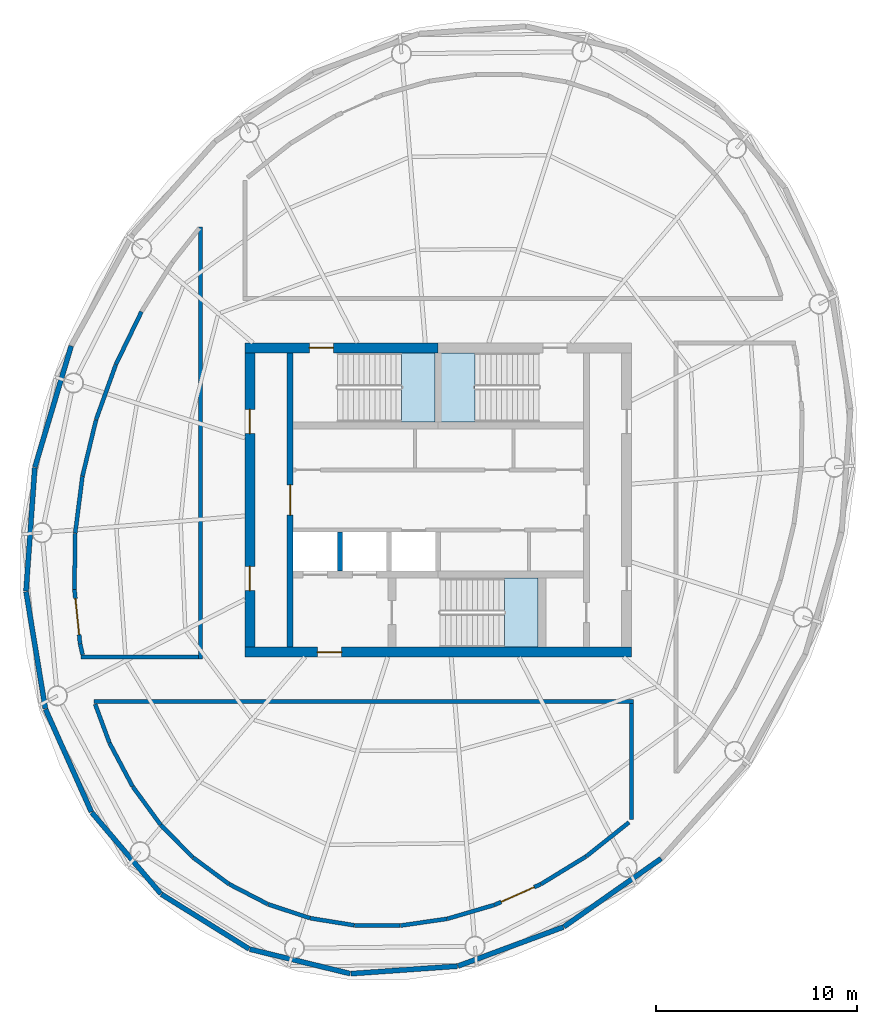
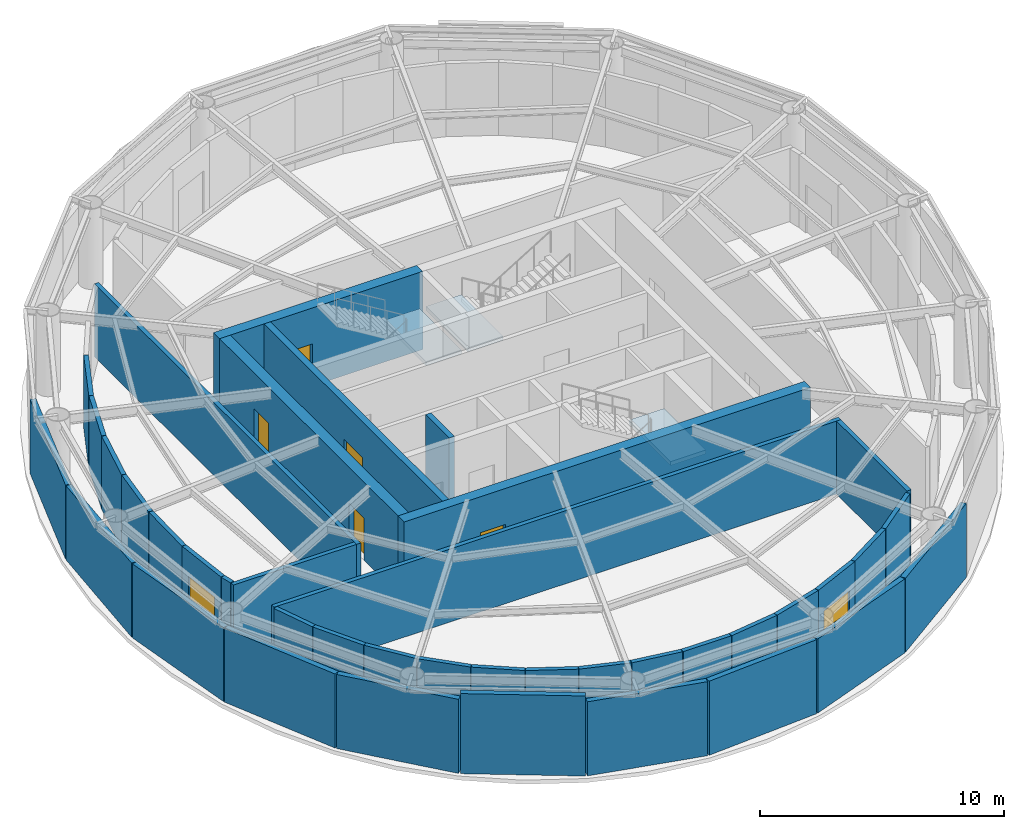
# One storey, part 3 of 6: 40 walls, 7 doors, 3 slabs, 7 openings, 3 elements without a shape of their own.
"""IFC4 building model written with IfcOpenShell, lengths in metres."""

import ifcopenshell
import ifcopenshell.guid

model = None  # the IFC model being written
_history = None  # IfcOwnerHistory: only IFC2X3 demands one
_inside = {}  # id of a spatial element -> (the spatial element, [elements in it])
_under = {}  # id of a project, library or spatial element -> (it, [spatial elements below it])
_declared = {}  # id of a project -> (the project, [libraries it declares])
_typed = {}  # id of a type object -> (the type object, [elements of that type])
_made_of = {}  # id of a material, layer set ... -> (it, [elements and type objects made of it])


def new_model(schema):
    """Start an empty IFC model of exactly this schema.

    Asked for "IFC4X3", IfcOpenShell would pick the latest addendum, in which some entities
    have other attributes; the version numbers below select the first issue.
    IFC2X3 requires an IfcOwnerHistory on every rooted entity: one is made here for all.
    """
    global model, _history
    if schema == "IFC4X3":
        model = ifcopenshell.file(schema_version=(4, 3, 0, 0))
    else:
        model = ifcopenshell.file(schema=schema)
    _inside.clear()
    _under.clear()
    _declared.clear()
    _typed.clear()
    _made_of.clear()
    _history = None
    if model.schema == "IFC2X3":
        org = make("IfcOrganization", Name="unknown")
        user = make(
            "IfcPersonAndOrganization",
            ThePerson=make("IfcPerson", FamilyName="unknown"),
            TheOrganization=org,
        )
        app = make(
            "IfcApplication",
            ApplicationDeveloper=org,
            Version="unknown",
            ApplicationFullName="unknown",
            ApplicationIdentifier="unknown",
        )
        _history = make(
            "IfcOwnerHistory",
            OwningUser=user,
            OwningApplication=app,
            ChangeAction="ADDED",
            CreationDate=0,
        )
    return model


def make(cls, **values):
    """One entity of the class cls with the attributes given. An attribute that is None is left unset."""
    return model.create_entity(
        cls, **{name: value for name, value in values.items() if value is not None}
    )


def rooted(cls, **values):
    """An entity with a GlobalId (a new one), such as an element, a storey or a relation."""
    return make(cls, GlobalId=ifcopenshell.guid.new(), OwnerHistory=_history, **values)


def si_unit(unit_type, name, prefix=None):
    """IfcSIUnit, for example si_unit("LENGTHUNIT", "METRE", prefix="MILLI")."""
    return make("IfcSIUnit", UnitType=unit_type, Prefix=prefix, Name=name)


def assignment(units):
    """IfcUnitAssignment: the units of a project."""
    return None if units is None else make("IfcUnitAssignment", Units=units)


def point(xyz):
    """IfcCartesianPoint."""
    return None if xyz is None else make("IfcCartesianPoint", Coordinates=xyz)


def direction(xyz):
    """IfcDirection."""
    return None if xyz is None else make("IfcDirection", DirectionRatios=xyz)


def frame(location, z_axis=None, x_axis=None):
    """IfcAxis2Placement3D, a coordinate frame: its origin and axes. An axis left out is left unset."""
    return make(
        "IfcAxis2Placement3D",
        Location=point(location),
        Axis=direction(z_axis),
        RefDirection=direction(x_axis),
    )


def frame_2d(location, x_axis=None):
    """IfcAxis2Placement2D, a coordinate frame in the plane: its origin and x axis."""
    return make(
        "IfcAxis2Placement2D", Location=point(location), RefDirection=direction(x_axis)
    )


def origin():
    """The frame at (0, 0, 0) with its axes left unset."""
    return frame((0.0, 0.0, 0.0))


def place(relative_to, where):
    """IfcLocalPlacement: puts the frame where relative to a parent placement (None: the world)."""
    return make(
        "IfcLocalPlacement", PlacementRelTo=relative_to, RelativePlacement=where
    )


def context(
    kind, dimensions, precision=None, world=None, true_north=None, identifier=None
):
    """IfcGeometricRepresentationContext, for example the 3D "Model" context."""
    return make(
        "IfcGeometricRepresentationContext",
        ContextIdentifier=identifier,
        ContextType=kind,
        CoordinateSpaceDimension=dimensions,
        Precision=precision,
        WorldCoordinateSystem=world,
        TrueNorth=true_north,
    )


def subcontext(parent, identifier, kind, view, scale=None):
    """IfcGeometricRepresentationSubContext, for example "Body" below "Model"."""
    return make(
        "IfcGeometricRepresentationSubContext",
        ContextIdentifier=identifier,
        ContextType=kind,
        ParentContext=parent,
        TargetScale=scale,
        TargetView=view,
    )


def project(units=None, contexts=None):
    """IfcProject with its units and contexts."""
    return rooted(
        "IfcProject",
        Name="project",
        RepresentationContexts=contexts,
        UnitsInContext=assignment(units),
    )


def spatial(cls, under=None, at=None, **own):
    """A site, building, storey or space (cls), placed at a placement, below another one or the project."""
    s = rooted(cls, ObjectPlacement=at, **own)
    if under is not None:
        _under.setdefault(under.id(), (under, []))[1].append(s)
    return s


def polyline(points):
    """IfcPolyline through the points."""
    return make("IfcPolyline", Points=[point(p) for p in points])


def profile(cls, at=None, kind="AREA", **sizes):
    """A parametric profile (cls). Its sizes go by their IFC names, for example OverallWidth=200.0."""
    return make(cls, ProfileType=kind, Position=at, **sizes)


def rectangle(**sizes):
    """IfcRectangleProfileDef."""
    return profile("IfcRectangleProfileDef", **sizes)


def outline(outer, holes=None, kind="AREA"):
    """IfcArbitraryClosedProfileDef: a profile drawn as a closed curve; with holes, ...WithVoids."""
    if holes is None:
        return make("IfcArbitraryClosedProfileDef", ProfileType=kind, OuterCurve=outer)
    return make(
        "IfcArbitraryProfileDefWithVoids",
        ProfileType=kind,
        OuterCurve=outer,
        InnerCurves=holes,
    )


def extrude(swept, where, along, depth):
    """IfcExtrudedAreaSolid: the profile swept, set in the frame where, extruded along a direction by depth."""
    return make(
        "IfcExtrudedAreaSolid",
        SweptArea=swept,
        Position=where,
        ExtrudedDirection=direction(along),
        Depth=depth,
    )


def shape(context_of_items, identifier, shape_type, items):
    """IfcShapeRepresentation: the items that make up one representation, for example the "Body"."""
    return make(
        "IfcShapeRepresentation",
        ContextOfItems=context_of_items,
        RepresentationIdentifier=identifier,
        RepresentationType=shape_type,
        Items=items,
    )


def material(Name=None, Category=None):
    """IfcMaterial."""
    return make("IfcMaterial", Name=Name, Category=Category)


def layer(
    of_material, thickness, ventilated=None, Name=None, Category=None, Priority=None
):
    """IfcMaterialLayer: one layer of a wall or slab, of a material (None: an air gap)."""
    return make(
        "IfcMaterialLayer",
        Material=of_material,
        LayerThickness=thickness,
        IsVentilated=ventilated,
        Name=Name,
        Category=Category,
        Priority=Priority,
    )


def layer_set(layers, Name=None):
    """IfcMaterialLayerSet."""
    return make("IfcMaterialLayerSet", MaterialLayers=layers, LayerSetName=Name)


def made_of(thing, what):
    """Note that an element or type object is made of a material, layer set ...; save() writes the relation."""
    if what is not None:
        _made_of.setdefault(what.id(), (what, []))[1].append(thing)
    return thing


def type_object(cls, material=None, **own):
    """A type object (cls), such as IfcWallType, which elements share."""
    return made_of(rooted(cls, **own), material)


def element(
    cls,
    number,
    at=None,
    inside=None,
    cuts=None,
    type_object=None,
    material=None,
    context=None,
    identifier="Body",
    shape_type=None,
    held_by="IfcProductDefinitionShape",
    body=None,
    shapes=None,
    **own,
):
    """One element of the class cls, such as IfcWall. Its Tag is "e" and its number.

    at: its placement. inside: the storey or other place that contains it. cuts: it is an
    opening in that element (IfcRelVoidsElement). A single representation is given by context,
    identifier, shape_type and body (its items); several are given by shapes. held_by: the class
    of the entity that holds the representations. save() writes the other relations.
    """
    e = rooted(cls, Tag="e%d" % number, ObjectPlacement=at, **own)
    if body is not None:
        shapes = [shape(context, identifier, shape_type, body)]
    if shapes is not None:
        e.Representation = make(held_by, Representations=shapes)
    if inside is not None:
        _inside.setdefault(inside.id(), (inside, []))[1].append(e)
    if cuts is not None:
        rooted(
            "IfcRelVoidsElement", RelatingBuildingElement=cuts, RelatedOpeningElement=e
        )
    if type_object is not None:
        _typed.setdefault(type_object.id(), (type_object, []))[1].append(e)
    return made_of(e, material)


def fill(opening, filler):
    """IfcRelFillsElement: the door or window that sits in an opening."""
    return rooted(
        "IfcRelFillsElement",
        RelatingOpeningElement=opening,
        RelatedBuildingElement=filler,
    )


def aggregate(whole, parts):
    """IfcRelAggregates: a whole, such as a stair, and the parts it consists of."""
    return rooted("IfcRelAggregates", RelatingObject=whole, RelatedObjects=parts)


def save(model, path):
    """Write the relations noted so far, then the file.

    IfcRelAggregates (storeys below a building ...), IfcRelContainedInSpatialStructure (elements
    in a storey), IfcRelDefinesByType, IfcRelAssociatesMaterial and IfcRelDeclares: one each for
    every whole, place, type object, material and project.
    """
    for whole, parts in _under.values():
        aggregate(whole, parts)
    for where, things in _inside.values():
        rooted(
            "IfcRelContainedInSpatialStructure",
            RelatedElements=things,
            RelatingStructure=where,
        )
    for kind, things in _typed.values():
        rooted("IfcRelDefinesByType", RelatedObjects=things, RelatingType=kind)
    for what, things in _made_of.values():
        rooted("IfcRelAssociatesMaterial", RelatedObjects=things, RelatingMaterial=what)
    for by, libraries in _declared.values():
        rooted("IfcRelDeclares", RelatingContext=by, RelatedDefinitions=libraries)
    model.write(path)


model = new_model("IFC4")

# Units and contexts
model_context = context("Model", 3, precision=1e-05, world=origin(), true_north=direction((0.0, 1.0)))
body_context = subcontext(model_context, "Body", "Model", "MODEL_VIEW")
ifc_project = project(units=[si_unit("LENGTHUNIT", "METRE"), si_unit("AREAUNIT", "SQUARE_METRE"), si_unit("VOLUMEUNIT", "CUBIC_METRE"), si_unit("PLANEANGLEUNIT", "RADIAN"), si_unit("MASSUNIT", "GRAM", prefix="KILO")], contexts=[model_context])

# Site, building, storey
site_placement = place(None, origin())
site = spatial("IfcSite", under=ifc_project, at=site_placement, CompositionType="ELEMENT")
building_placement = place(site_placement, origin())
building = spatial("IfcBuilding", under=site, at=building_placement, Name="Vermilion Reach Broadcast Tower", CompositionType="ELEMENT")
storey_placement = place(building_placement, frame((0.0, 0.0, 312.89990234375)))
storey = spatial("IfcBuildingStorey", under=building, at=storey_placement, Name="L78 CROWN", CompositionType="ELEMENT", Elevation=312.89990234375)

# Stair, slab
ifc_material_1 = material(Name="Concrete C40", Category="concrete")
stair_type = type_object("IfcStairType", Name="Exit stair RC 26 risers 162 mm", PredefinedType="HALF_TURN_STAIR", material=ifc_material_1)
placement_1 = place(storey_placement, origin())
stair_1 = element("IfcStair", 1, at=placement_1, inside=storey, type_object=stair_type, Name="L78 CROWN Exit stair ST1", PredefinedType="HALF_TURN_STAIR")
ifc_material_2 = material(Name="Concrete C40", Category="concrete")
ifc_layer_1 = layer(ifc_material_2, 0.199951171875)
ifc_layer_set_1 = layer_set([ifc_layer_1], Name="Exit stair landing Concrete C40")
slab_type = type_object("IfcSlabType", Name="Exit stair landing Concrete C40", PredefinedType="LANDING", material=ifc_layer_set_1)
placement_2 = place(storey_placement, frame((0.0, 0.0, 1.900146484375)))
slab_1 = element("IfcSlab", 2, at=placement_2, type_object=slab_type, Name="ST1 landing 1", PredefinedType="LANDING", context=body_context, shape_type="SweptSolid", body=[
    extrude(outline(polyline([(-7.820068359375, 3.8798828125), (-6.14990234375, 3.8798828125), (-6.14990234375, 7.300048828125), (-7.820068359375, 7.300048828125), (-7.820068359375, 3.8798828125)])), origin(), (0.0, 0.0, 1.0), 0.199951171875),
])
aggregate(stair_1, [slab_1])

stair_2 = element("IfcStair", 3, at=placement_1, inside=storey, type_object=stair_type, Name="L78 CROWN Exit stair ST2", PredefinedType="HALF_TURN_STAIR")
slab_2 = element("IfcSlab", 4, at=placement_2, type_object=slab_type, Name="ST2 landing 1", PredefinedType="LANDING", context=body_context, shape_type="SweptSolid", body=[
    extrude(outline(polyline([(-4.179931640625, 7.300048828125), (-5.85009765625, 7.300048828125), (-5.85009765625, 3.8798828125), (-4.179931640625, 3.8798828125), (-4.179931640625, 7.300048828125)])), origin(), (0.0, 0.0, 1.0), 0.199951171875),
])
aggregate(stair_2, [slab_2])

stair_3 = element("IfcStair", 5, at=placement_1, inside=storey, type_object=stair_type, Name="L78 CROWN Exit stair ST3", PredefinedType="HALF_TURN_STAIR")
slab_3 = element("IfcSlab", 6, at=placement_2, type_object=slab_type, Name="ST3 landing 1", PredefinedType="LANDING", context=body_context, shape_type="SweptSolid", body=[
    extrude(outline(polyline([(-2.719970703125, -7.300048828125), (-1.050048828125, -7.300048828125), (-1.050048828125, -3.8798828125), (-2.719970703125, -3.8798828125), (-2.719970703125, -7.300048828125)])), origin(), (0.0, 0.0, 1.0), 0.199951171875),
])
aggregate(stair_3, [slab_3])

# Wall, opening, door
ifc_material_3 = material(Name="Concrete C50", Category="concrete")
ifc_layer_2 = layer(ifc_material_3, 0.300048828125)
ifc_layer_set_2 = layer_set([ifc_layer_2], Name="Core inner wall 300 mm Concrete C50")
wall_type_1 = type_object("IfcWallType", Name="Core inner wall 300 mm Concrete C50", PredefinedType="SHEAR", material=ifc_layer_set_2)
wall_1_placement = place(storey_placement, frame((-13.35009765625, 7.300048828125, 0.0), z_axis=(0.0, 0.0, 1.0), x_axis=(0.0, -1.0, 0.0)))
wall_1 = element("IfcWall", 7, at=wall_1_placement, inside=storey, type_object=wall_type_1, Name="L78 CROWN core wall ewW", PredefinedType="SHEAR", context=body_context, shape_type="SweptSolid", body=[
    extrude(rectangle(XDim=14.60009765625, YDim=0.300048828125, at=frame_2d((7.300048828125, 0.0))), origin(), (0.0, 0.0, 1.0), 3.900146484375),
])
opening_1_placement = place(wall_1_placement, frame((6.550048828125, 0.0, 0.0)))
opening_1 = element("IfcOpeningElement", 8, at=opening_1_placement, cuts=wall_1, Name="Opening D04", PredefinedType="OPENING", context=body_context, shape_type="SweptSolid", body=[
    extrude(rectangle(XDim=1.5, YDim=2.10009765625, at=frame_2d((0.75, 1.050048828125))), frame((0.0, 0.159912109375, 0.0), z_axis=(0.0, -1.0, 0.0), x_axis=(1.0, 0.0, 0.0)), (0.0, 0.0, 1.0), 0.320068359375),
])
ifc_material_4 = material(Name="Painted steel fire door", Category="steel")
door_type_1 = type_object("IfcDoorType", Name="Lift lobby door 1500 x 2100", OperationType="DOUBLE_DOOR_SINGLE_SWING", PredefinedType="NOTDEFINED", material=ifc_material_4)
door_1_placement = place(opening_1_placement, origin())
door_1 = element("IfcDoor", 9, at=door_1_placement, inside=storey, type_object=door_type_1, Name="L78 CROWN band door BW", OperationType="DOUBLE_DOOR_SINGLE_SWING", OverallHeight=2.10009765625, OverallWidth=1.5, PredefinedType="NOTDEFINED", context=body_context, shape_type="SweptSolid", body=[
    extrude(rectangle(XDim=1.5, YDim=2.10009765625, at=frame_2d((0.75, 1.050048828125))), frame((0.0, 0.02490234375, 0.0), z_axis=(0.0, -1.0, 0.0), x_axis=(1.0, 0.0, 0.0)), (0.0, 0.0, 1.0), 0.050048828125),
])
fill(opening_1, door_1)

ifc_material_5 = material(Name="Concrete C50", Category="concrete")
ifc_layer_3 = layer(ifc_material_5, 0.5)
ifc_layer_set_3 = layer_set([ifc_layer_3], Name="Core outer wall 500 mm Concrete C50")
wall_type_2 = type_object("IfcWallType", Name="Core outer wall 500 mm Concrete C50", PredefinedType="SHEAR", material=ifc_layer_set_3)
wall_2_placement = place(storey_placement, frame((-6.0, 7.550048828125, 0.0), z_axis=(0.0, 0.0, 1.0), x_axis=(-1.0, 0.0, 0.0)))
wall_2 = element("IfcWall", 10, at=wall_2_placement, inside=storey, type_object=wall_type_2, Name="L78 CROWN core wall onW", PredefinedType="SHEAR", context=body_context, shape_type="SweptSolid", body=[
    extrude(rectangle(XDim=9.60009765625, YDim=0.5, at=frame_2d((4.800048828125, 0.0))), origin(), (0.0, 0.0, 1.0), 3.900146484375),
])
opening_2_placement = place(wall_2_placement, frame((5.199951171875, 0.0, 0.0)))
opening_2 = element("IfcOpeningElement", 11, at=opening_2_placement, cuts=wall_2, Name="Opening D01", PredefinedType="OPENING", context=body_context, shape_type="SweptSolid", body=[
    extrude(rectangle(XDim=1.199951171875, YDim=2.10009765625, at=frame_2d((0.60009765625, 1.050048828125))), frame((0.0, 0.260009765625, 0.0), z_axis=(0.0, -1.0, 0.0), x_axis=(1.0, 0.0, 0.0)), (0.0, 0.0, 1.0), 0.52001953125),
])
ifc_material_6 = material(Name="Painted steel fire door", Category="steel")
door_type_2 = type_object("IfcDoorType", Name="Stair door 1200 x 2100", OperationType="DOUBLE_DOOR_SINGLE_SWING", PredefinedType="NOTDEFINED", material=ifc_material_6)
door_2_placement = place(opening_2_placement, origin())
door_2 = element("IfcDoor", 12, at=door_2_placement, inside=storey, type_object=door_type_2, Name="L78 CROWN stair door ST1", OperationType="DOUBLE_DOOR_SINGLE_SWING", OverallHeight=2.10009765625, OverallWidth=1.199951171875, PredefinedType="NOTDEFINED", context=body_context, shape_type="SweptSolid", body=[
    extrude(rectangle(XDim=1.199951171875, YDim=2.10009765625, at=frame_2d((0.60009765625, 1.050048828125))), frame((0.0, 0.02490234375, 0.0), z_axis=(0.0, -1.0, 0.0), x_axis=(1.0, 0.0, 0.0)), (0.0, 0.0, 1.0), 0.050048828125),
])
fill(opening_2, door_2)

wall_3_placement = place(storey_placement, frame((-15.60009765625, -7.550048828125, 0.0), z_axis=(0.0, 0.0, 1.0), x_axis=(1.0, 0.0, 0.0)))
wall_3 = element("IfcWall", 13, at=wall_3_placement, inside=storey, type_object=wall_type_2, Name="L78 CROWN core wall os", PredefinedType="SHEAR", context=body_context, shape_type="SweptSolid", body=[
    extrude(rectangle(XDim=19.2001953125, YDim=0.5, at=frame_2d((9.60009765625, 0.0))), origin(), (0.0, 0.0, 1.0), 3.900146484375),
])
opening_3_placement = place(wall_3_placement, frame((3.60009765625, 0.0, 0.0)))
opening_3 = element("IfcOpeningElement", 14, at=opening_3_placement, cuts=wall_3, Name="Opening D02", PredefinedType="OPENING", context=body_context, shape_type="SweptSolid", body=[
    extrude(rectangle(XDim=1.199951171875, YDim=2.10009765625, at=frame_2d((0.60009765625, 1.050048828125))), frame((0.0, 0.260009765625, 0.0), z_axis=(0.0, -1.0, 0.0), x_axis=(1.0, 0.0, 0.0)), (0.0, 0.0, 1.0), 0.52001953125),
])
ifc_material_7 = material(Name="Painted steel fire door", Category="steel")
door_type_3 = type_object("IfcDoorType", Name="Firefighting lobby door 1200 x 2100", OperationType="DOUBLE_DOOR_SINGLE_SWING", PredefinedType="NOTDEFINED", material=ifc_material_7)
door_3_placement = place(opening_3_placement, origin())
door_3 = element("IfcDoor", 15, at=door_3_placement, inside=storey, type_object=door_type_3, Name="L78 CROWN ffdoor door FFL", OperationType="DOUBLE_DOOR_SINGLE_SWING", OverallHeight=2.10009765625, OverallWidth=1.199951171875, PredefinedType="NOTDEFINED", context=body_context, shape_type="SweptSolid", body=[
    extrude(rectangle(XDim=1.199951171875, YDim=2.10009765625, at=frame_2d((0.60009765625, 1.050048828125))), frame((0.0, 0.02490234375, 0.0), z_axis=(0.0, -1.0, 0.0), x_axis=(1.0, 0.0, 0.0)), (0.0, 0.0, 1.0), 0.050048828125),
])
fill(opening_3, door_3)

# Wall, openings, doors
wall_4_placement = place(storey_placement, frame((-15.35009765625, 7.300048828125, 0.0), z_axis=(0.0, 0.0, 1.0), x_axis=(0.0, -1.0, 0.0)))
wall_4 = element("IfcWall", 16, at=wall_4_placement, inside=storey, type_object=wall_type_2, Name="L78 CROWN core wall ow", PredefinedType="SHEAR", context=body_context, shape_type="SweptSolid", body=[
    extrude(rectangle(XDim=14.60009765625, YDim=0.5, at=frame_2d((7.300048828125, 0.0))), origin(), (0.0, 0.0, 1.0), 3.900146484375),
])
opening_4_placement = place(wall_4_placement, frame((10.60009765625, 0.0, 0.0)))
opening_4 = element("IfcOpeningElement", 17, at=opening_4_placement, cuts=wall_4, Name="Opening D03", PredefinedType="OPENING", context=body_context, shape_type="SweptSolid", body=[
    extrude(rectangle(XDim=1.199951171875, YDim=2.10009765625, at=frame_2d((0.60009765625, 1.050048828125))), frame((0.0, 0.260009765625, 0.0), z_axis=(0.0, -1.0, 0.0), x_axis=(1.0, 0.0, 0.0)), (0.0, 0.0, 1.0), 0.52001953125),
])
opening_5_placement = place(wall_4_placement, frame((2.800048828125, 0.0, 0.0)))
opening_5 = element("IfcOpeningElement", 18, at=opening_5_placement, cuts=wall_4, Name="Opening D03", PredefinedType="OPENING", context=body_context, shape_type="SweptSolid", body=[
    extrude(rectangle(XDim=1.199951171875, YDim=2.10009765625, at=frame_2d((0.60009765625, 1.050048828125))), frame((0.0, 0.260009765625, 0.0), z_axis=(0.0, -1.0, 0.0), x_axis=(1.0, 0.0, 0.0)), (0.0, 0.0, 1.0), 0.52001953125),
])
ifc_material_8 = material(Name="Painted steel fire door", Category="steel")
door_type_4 = type_object("IfcDoorType", Name="Core lobby door 1200 x 2100", OperationType="DOUBLE_DOOR_SINGLE_SWING", PredefinedType="NOTDEFINED", material=ifc_material_8)
door_4_placement = place(opening_4_placement, origin())
door_4 = element("IfcDoor", 19, at=door_4_placement, inside=storey, type_object=door_type_4, Name="L78 CROWN slot door W0", OperationType="DOUBLE_DOOR_SINGLE_SWING", OverallHeight=2.10009765625, OverallWidth=1.199951171875, PredefinedType="NOTDEFINED", context=body_context, shape_type="SweptSolid", body=[
    extrude(rectangle(XDim=1.199951171875, YDim=2.10009765625, at=frame_2d((0.60009765625, 1.050048828125))), frame((0.0, 0.02490234375, 0.0), z_axis=(0.0, -1.0, 0.0), x_axis=(1.0, 0.0, 0.0)), (0.0, 0.0, 1.0), 0.050048828125),
])
fill(opening_4, door_4)
door_5_placement = place(opening_5_placement, origin())
door_5 = element("IfcDoor", 20, at=door_5_placement, inside=storey, type_object=door_type_4, Name="L78 CROWN slot door W1", OperationType="DOUBLE_DOOR_SINGLE_SWING", OverallHeight=2.10009765625, OverallWidth=1.199951171875, PredefinedType="NOTDEFINED", context=body_context, shape_type="SweptSolid", body=[
    extrude(rectangle(XDim=1.199951171875, YDim=2.10009765625, at=frame_2d((0.60009765625, 1.050048828125))), frame((0.0, 0.02490234375, 0.0), z_axis=(0.0, -1.0, 0.0), x_axis=(1.0, 0.0, 0.0)), (0.0, 0.0, 1.0), 0.050048828125),
])
fill(opening_5, door_5)

# Walls
ifc_material_9 = material(Name="Concrete C50", Category="concrete")
ifc_layer_4 = layer(ifc_material_9, 0.25)
ifc_layer_set_4 = layer_set([ifc_layer_4], Name="Core shaft wall 250 mm Concrete C50")
wall_type_3 = type_object("IfcWallType", Name="Core shaft wall 250 mm Concrete C50", PredefinedType="SHEAR", material=ifc_layer_set_4)
wall_5_placement = place(storey_placement, frame((-10.88330078125, -1.60009765625, 0.0), z_axis=(0.0, 0.0, 1.0), x_axis=(0.0, -1.0, 0.0)))
element("IfcWall", 21, at=wall_5_placement, inside=storey, type_object=wall_type_3, Name="L78 CROWN core wall psS0", PredefinedType="SHEAR", context=body_context, shape_type="SweptSolid", body=[
    extrude(rectangle(XDim=1.929931640625, YDim=0.25, at=frame_2d((0.96484375, 0.0))), origin(), (0.0, 0.0, 1.0), 3.900146484375),
])
ifc_material_10 = material(Name="Anodised aluminium louvre cladding", Category="aluminium")
ifc_layer_5 = layer(ifc_material_10, 0.25)
ifc_layer_set_5 = layer_set([ifc_layer_5], Name="Plant louvre wall 250")
wall_type_4 = type_object("IfcWallType", Name="Plant louvre wall 250", PredefinedType="SOLIDWALL", material=ifc_layer_set_5)
wall_6_placement = place(storey_placement, frame((-19.736572265625, -19.56982421875, 0.0), z_axis=(0.0, 0.0, 1.0), x_axis=(0.84872546146, -0.528833708333, 0.0)))
element("IfcWall", 22, at=wall_6_placement, inside=storey, type_object=wall_type_4, Name="Louvre wall L78 CROWN 12", PredefinedType="SOLIDWALL", context=body_context, shape_type="SweptSolid", body=[
    extrude(rectangle(XDim=5.124755859375, YDim=0.25, at=frame_2d((2.5625, 0.0))), origin(), (0.0, 0.0, 1.0), 4.0),
])
ifc_material_11 = material(Name="Anodised aluminium louvre cladding", Category="aluminium")
ifc_layer_6 = layer(ifc_material_11, 0.25)
ifc_layer_set_6 = layer_set([ifc_layer_6], Name="Plant louvre wall 250, head 300 below soffit")
wall_type_5 = type_object("IfcWallType", Name="Plant louvre wall 250, head 300 below soffit", PredefinedType="SOLIDWALL", material=ifc_layer_set_6)
wall_7_placement = place(storey_placement, frame((-24.2197265625, 7.64453125, 0.0), z_axis=(0.0, 0.0, 1.0), x_axis=(-0.286431283473, -0.958100787938, 0.0)))
element("IfcWall", 23, at=wall_7_placement, inside=storey, type_object=wall_type_5, Name="Louvre wall L78 CROWN 07", PredefinedType="SOLIDWALL", context=body_context, shape_type="SweptSolid", body=[
    extrude(rectangle(XDim=6.281005859375, YDim=0.25, at=frame_2d((3.140625, 0.0))), origin(), (0.0, 0.0, 1.0), 3.7001953125),
])
wall_8_placement = place(storey_placement, frame((-26.023681640625, 1.60009765625, 0.0), z_axis=(0.0, 0.0, 1.0), x_axis=(-0.07066487406, -0.99750011307, 0.0)))
element("IfcWall", 24, at=wall_8_placement, inside=storey, type_object=wall_type_5, Name="Louvre wall L78 CROWN 08", PredefinedType="SOLIDWALL", context=body_context, shape_type="SweptSolid", body=[
    extrude(rectangle(XDim=6.139404296875, YDim=0.25, at=frame_2d((3.06982421875, 0.0))), origin(), (0.0, 0.0, 1.0), 3.7001953125),
])
wall_9_placement = place(storey_placement, frame((-26.4560546875, -4.552734375, 0.0), z_axis=(0.0, 0.0, 1.0), x_axis=(0.162616041589, -0.986689425816, 0.0)))
element("IfcWall", 25, at=wall_9_placement, inside=storey, type_object=wall_type_5, Name="Louvre wall L78 CROWN 09", PredefinedType="SOLIDWALL", context=body_context, shape_type="SweptSolid", body=[
    extrude(rectangle(XDim=5.88525390625, YDim=0.25, at=frame_2d((2.942626953125, 0.0))), origin(), (0.0, 0.0, 1.0), 3.7001953125),
])
wall_10_placement = place(storey_placement, frame((-25.489990234375, -10.389892578125, 0.0), z_axis=(0.0, 0.0, 1.0), x_axis=(0.407989751163, -0.912986507538, 0.0)))
element("IfcWall", 26, at=wall_10_placement, inside=storey, type_object=wall_type_5, Name="Louvre wall L78 CROWN 10", PredefinedType="SOLIDWALL", context=body_context, shape_type="SweptSolid", body=[
    extrude(rectangle(XDim=5.5771484375, YDim=0.25, at=frame_2d((2.78857421875, 0.0))), origin(), (0.0, 0.0, 1.0), 3.7001953125),
])
wall_11_placement = place(storey_placement, frame((-23.196044921875, -15.511474609375, 0.0), z_axis=(0.0, 0.0, 1.0), x_axis=(0.647893308308, -0.761731094973, 0.0)))
element("IfcWall", 27, at=wall_11_placement, inside=storey, type_object=wall_type_5, Name="Louvre wall L78 CROWN 11", PredefinedType="SOLIDWALL", context=body_context, shape_type="SweptSolid", body=[
    extrude(rectangle(XDim=5.295166015625, YDim=0.25, at=frame_2d((2.6474609375, 0.0))), origin(), (0.0, 0.0, 1.0), 3.7001953125),
])
wall_12_placement = place(storey_placement, frame((-15.350830078125, -22.29541015625, 0.0), z_axis=(0.0, 0.0, 1.0), x_axis=(0.971672333914, -0.236332129654, 0.0)))
element("IfcWall", 28, at=wall_12_placement, inside=storey, type_object=wall_type_5, Name="Louvre wall L78 CROWN 13", PredefinedType="SOLIDWALL", context=body_context, shape_type="SweptSolid", body=[
    extrude(rectangle(XDim=5.125, YDim=0.25, at=frame_2d((2.5625, 0.0))), origin(), (0.0, 0.0, 1.0), 3.7001953125),
])
wall_13_placement = place(storey_placement, frame((-10.333251953125, -23.509765625, 0.0), z_axis=(0.0, 0.0, 1.0), x_axis=(0.997541335578, 0.070080552324, 0.0)))
element("IfcWall", 29, at=wall_13_placement, inside=storey, type_object=wall_type_5, Name="Louvre wall L78 CROWN 14", PredefinedType="SOLIDWALL", context=body_context, shape_type="SweptSolid", body=[
    extrude(rectangle(XDim=5.295166015625, YDim=0.25, at=frame_2d((2.6474609375, 0.0))), origin(), (0.0, 0.0, 1.0), 3.7001953125),
])
wall_14_placement = place(storey_placement, frame((-5.016845703125, -23.13134765625, 0.0), z_axis=(0.0, 0.0, 1.0), x_axis=(0.937764073403, 0.34727300879, 0.0)))
element("IfcWall", 30, at=wall_14_placement, inside=storey, type_object=wall_type_5, Name="Louvre wall L78 CROWN 15", PredefinedType="SOLIDWALL", context=body_context, shape_type="SweptSolid", body=[
    extrude(rectangle(XDim=5.5771484375, YDim=0.25, at=frame_2d((2.78857421875, 0.0))), origin(), (0.0, 0.0, 1.0), 3.7001953125),
])
wall_15_placement = place(storey_placement, frame((0.2412109375, -21.1796875, 0.0), z_axis=(0.0, 0.0, 1.0), x_axis=(0.818761962214, 0.574133128492, 0.0)))
element("IfcWall", 31, at=wall_15_placement, inside=storey, type_object=wall_type_5, Name="Louvre wall L78 CROWN 16", PredefinedType="SOLIDWALL", context=body_context, shape_type="SweptSolid", body=[
    extrude(rectangle(XDim=5.88525390625, YDim=0.25, at=frame_2d((2.942626953125, 0.0))), origin(), (0.0, 0.0, 1.0), 3.7001953125),
])
ifc_material_12 = material(Name="Gypsum board shaft wall")
ifc_layer_7 = layer(ifc_material_12, 0.199951171875)
ifc_layer_set_7 = layer_set([ifc_layer_7], Name="Plant room wall 200")
wall_type_6 = type_object("IfcWallType", Name="Plant room wall 200", PredefinedType="PARTITIONING", material=ifc_layer_set_7)
wall_16_placement = place(storey_placement, frame((-17.800048828125, -7.900146484375, 0.0), z_axis=(0.0, 0.0, 1.0), x_axis=(0.0, 1.0, 0.0)))
element("IfcWall", 32, at=wall_16_placement, inside=storey, type_object=wall_type_6, Name="sp.wall.L78 CROWN.001", PredefinedType="PARTITIONING", context=body_context, shape_type="SweptSolid", body=[
    extrude(rectangle(XDim=21.457763671875, YDim=0.199951171875, at=frame_2d((10.72900390625, 0.0))), origin(), (0.0, 0.0, 1.0), 3.650146484375),
])
wall_17_placement = place(storey_placement, frame((-23.076171875, -10.0, 0.0), z_axis=(0.0, 0.0, 1.0), x_axis=(1.0, 0.0, 0.0)))
element("IfcWall", 33, at=wall_17_placement, inside=storey, type_object=wall_type_6, Name="sp.wall.L78 CROWN.002", PredefinedType="PARTITIONING", context=body_context, shape_type="SweptSolid", body=[
    extrude(rectangle(XDim=26.7763671875, YDim=0.199951171875, at=frame_2d((13.38818359375, 0.0))), origin(), (0.0, 0.0, 1.0), 3.650146484375),
])
wall_18_placement = place(storey_placement, frame((3.60009765625, -15.867431640625, 0.0), z_axis=(0.0, 0.0, 1.0), x_axis=(0.0, 1.0, 0.0)))
element("IfcWall", 34, at=wall_18_placement, inside=storey, type_object=wall_type_6, Name="sp.wall.L78 CROWN.006", PredefinedType="PARTITIONING", context=body_context, shape_type="SweptSolid", body=[
    extrude(rectangle(XDim=5.767333984375, YDim=0.199951171875, at=frame_2d((2.8837890625, 0.0))), origin(), (0.0, 0.0, 1.0), 3.650146484375),
])
wall_19_placement = place(storey_placement, frame((-23.7236328125, -7.800048828125, 0.0), z_axis=(0.0, 0.0, 1.0), x_axis=(1.0, 0.0, 0.0)))
element("IfcWall", 35, at=wall_19_placement, inside=storey, type_object=wall_type_6, Name="sp.wall.L78 CROWN.007", PredefinedType="PARTITIONING", context=body_context, shape_type="SweptSolid", body=[
    extrude(rectangle(XDim=5.82373046875, YDim=0.199951171875, at=frame_2d((2.911865234375, 0.0))), origin(), (0.0, 0.0, 1.0), 3.650146484375),
])
wall_20_placement = place(storey_placement, frame((-24.056396484375, -4.430908203125, 0.0), z_axis=(0.0, 0.0, 1.0), x_axis=(0.013897320686, 0.999903427576, 0.0)))
element("IfcWall", 36, at=wall_20_placement, inside=storey, type_object=wall_type_6, Name="sp.wall.L78 CROWN.022", PredefinedType="PARTITIONING", context=body_context, shape_type="SweptSolid", body=[
    extrude(rectangle(XDim=2.775634765625, YDim=0.199951171875, at=frame_2d((1.3876953125, 0.0))), origin(), (0.0, 0.0, 1.0), 3.650146484375),
])
wall_21_placement = place(storey_placement, frame((-24.017578125, -1.64404296875, 0.0), z_axis=(0.0, 0.0, 1.0), x_axis=(0.126302032537, 0.991991832919, 0.0)))
element("IfcWall", 37, at=wall_21_placement, inside=storey, type_object=wall_type_6, Name="sp.wall.L78 CROWN.023", PredefinedType="PARTITIONING", context=body_context, shape_type="SweptSolid", body=[
    extrude(rectangle(XDim=2.835693359375, YDim=0.199951171875, at=frame_2d((1.41796875, 0.0))), origin(), (0.0, 0.0, 1.0), 3.650146484375),
])
wall_22_placement = place(storey_placement, frame((-23.657958984375, 1.1796875, 0.0), z_axis=(0.0, 0.0, 1.0), x_axis=(0.234120678443, 0.972207543648, 0.0)))
element("IfcWall", 38, at=wall_22_placement, inside=storey, type_object=wall_type_6, Name="sp.wall.L78 CROWN.024", PredefinedType="PARTITIONING", context=body_context, shape_type="SweptSolid", body=[
    extrude(rectangle(XDim=2.877197265625, YDim=0.199951171875, at=frame_2d((1.4384765625, 0.0))), origin(), (0.0, 0.0, 1.0), 3.650146484375),
])
wall_23_placement = place(storey_placement, frame((-22.981689453125, 3.987548828125, 0.0), z_axis=(0.0, 0.0, 1.0), x_axis=(0.337478197562, 0.941333344873, 0.0)))
element("IfcWall", 39, at=wall_23_placement, inside=storey, type_object=wall_type_6, Name="sp.wall.L78 CROWN.025", PredefinedType="PARTITIONING", context=body_context, shape_type="SweptSolid", body=[
    extrude(rectangle(XDim=2.89794921875, YDim=0.199951171875, at=frame_2d((1.448974609375, 0.0))), origin(), (0.0, 0.0, 1.0), 3.650146484375),
])
wall_24_placement = place(storey_placement, frame((-22.0, 6.725830078125, 0.0), z_axis=(0.0, 0.0, 1.0), x_axis=(0.436405284506, 0.89975020292, 0.0)))
element("IfcWall", 40, at=wall_24_placement, inside=storey, type_object=wall_type_6, Name="sp.wall.L78 CROWN.026", PredefinedType="PARTITIONING", context=body_context, shape_type="SweptSolid", body=[
    extrude(rectangle(XDim=2.9091796875, YDim=0.199951171875, at=frame_2d((1.45458984375, 0.0))), origin(), (0.0, 0.0, 1.0), 3.650146484375),
])
wall_25_placement = place(storey_placement, frame((-23.774658203125, -7.140869140625, 0.0), z_axis=(0.0, 0.0, 1.0), x_axis=(0.2234024776, -0.974726286196, 0.0)))
element("IfcWall", 41, at=wall_25_placement, inside=storey, type_object=wall_type_6, Name="sp.wall.L78 CROWN.029", PredefinedType="PARTITIONING", context=body_context, shape_type="SweptSolid", body=[
    extrude(rectangle(XDim=0.55078125, YDim=0.199951171875, at=frame_2d((0.275390625, 0.0))), origin(), (0.0, 0.0, 1.0), 3.650146484375),
])

# Wall, opening, door
wall_26_placement = place(storey_placement, frame((-23.77734375, -7.12890625, 0.0), z_axis=(0.0, 0.0, 1.0), x_axis=(-0.102877560919, 0.994694027055, 0.0)))
wall_26 = element("IfcWall", 42, at=wall_26_placement, inside=storey, type_object=wall_type_6, Name="sp.wall.L78 CROWN.030", PredefinedType="PARTITIONING", context=body_context, shape_type="SweptSolid", body=[
    extrude(rectangle(XDim=2.70068359375, YDim=0.199951171875, at=frame_2d((1.350341796875, 0.0))), origin(), (0.0, 0.0, 1.0), 3.650146484375),
])
opening_6_placement = place(wall_26_placement, frame((0.4501953125, 0.0, 0.0)))
opening_6 = element("IfcOpeningElement", 43, at=opening_6_placement, cuts=wall_26, Name="Opening D53", PredefinedType="OPENING", context=body_context, shape_type="SweptSolid", body=[
    extrude(rectangle(XDim=1.800048828125, YDim=2.39990234375, at=frame_2d((0.89990234375, 1.199951171875))), frame((0.0, 0.10986328125, 0.0), z_axis=(0.0, -1.0, 0.0), x_axis=(1.0, 0.0, 0.0)), (0.0, 0.0, 1.0), 0.219970703125),
])
ifc_material_13 = material(Name="Timber and steel door set", Category="steel")
door_type_5 = type_object("IfcDoorType", Name="Plant double door 1800x2400", OperationType="NOTDEFINED", PredefinedType="DOOR", material=ifc_material_13)
door_6_placement = place(opening_6_placement, origin())
door_6 = element("IfcDoor", 44, at=door_6_placement, inside=storey, type_object=door_type_5, Name="sp.door.L78 CROWN.001", OperationType="DOUBLE_DOOR_SINGLE_SWING", OverallHeight=2.39990234375, OverallWidth=1.800048828125, PredefinedType="DOOR", context=body_context, shape_type="SweptSolid", body=[
    extrude(rectangle(XDim=1.800048828125, YDim=2.39990234375, at=frame_2d((0.89990234375, 1.199951171875))), frame((0.0, 0.02490234375, 0.0), z_axis=(0.0, -1.0, 0.0), x_axis=(1.0, 0.0, 0.0)), (0.0, 0.0, 1.0), 0.050048828125),
])
fill(opening_6, door_6)

# Wall
wall_27_placement = place(storey_placement, frame((-0.894287109375, -19.061279296875, 0.0), z_axis=(0.0, 0.0, 1.0), x_axis=(0.852667029926, 0.522454721557, 0.0)))
element("IfcWall", 45, at=wall_27_placement, inside=storey, type_object=wall_type_6, Name="sp.wall.L78 CROWN.031", PredefinedType="PARTITIONING", context=body_context, shape_type="SweptSolid", body=[
    extrude(rectangle(XDim=2.613525390625, YDim=0.199951171875, at=frame_2d((1.306640625, 0.0))), origin(), (0.0, 0.0, 1.0), 3.650146484375),
])

# Wall, opening, door
wall_28_placement = place(storey_placement, frame((-3.2060546875, -20.097412109375, 0.0), z_axis=(0.0, 0.0, 1.0), x_axis=(0.912552955942, 0.408958558538, 0.0)))
wall_28 = element("IfcWall", 46, at=wall_28_placement, inside=storey, type_object=wall_type_6, Name="sp.wall.L78 CROWN.032", PredefinedType="PARTITIONING", context=body_context, shape_type="SweptSolid", body=[
    extrude(rectangle(XDim=2.5205078125, YDim=0.199951171875, at=frame_2d((1.26025390625, 0.0))), origin(), (0.0, 0.0, 1.0), 3.650146484375),
])
opening_7_placement = place(wall_28_placement, frame((0.360107421875, 0.0, 0.0)))
opening_7 = element("IfcOpeningElement", 47, at=opening_7_placement, cuts=wall_28, Name="Opening D53", PredefinedType="OPENING", context=body_context, shape_type="SweptSolid", body=[
    extrude(rectangle(XDim=1.800048828125, YDim=2.39990234375, at=frame_2d((0.89990234375, 1.199951171875))), frame((0.0, 0.10986328125, 0.0), z_axis=(0.0, -1.0, 0.0), x_axis=(1.0, 0.0, 0.0)), (0.0, 0.0, 1.0), 0.219970703125),
])
door_7_placement = place(opening_7_placement, origin())
door_7 = element("IfcDoor", 48, at=door_7_placement, inside=storey, type_object=door_type_5, Name="sp.door.L78 CROWN.002", OperationType="DOUBLE_DOOR_SINGLE_SWING", OverallHeight=2.39990234375, OverallWidth=1.800048828125, PredefinedType="DOOR", context=body_context, shape_type="SweptSolid", body=[
    extrude(rectangle(XDim=1.800048828125, YDim=2.39990234375, at=frame_2d((0.89990234375, 1.199951171875))), frame((0.0, 0.02490234375, 0.0), z_axis=(0.0, -1.0, 0.0), x_axis=(1.0, 0.0, 0.0)), (0.0, 0.0, 1.0), 0.050048828125),
])
fill(opening_7, door_7)

# Walls
wall_29_placement = place(storey_placement, frame((-5.546630859375, -20.7861328125, 0.0), z_axis=(0.0, 0.0, 1.0), x_axis=(0.95934146389, 0.28224803925, 0.0)))
element("IfcWall", 49, at=wall_29_placement, inside=storey, type_object=wall_type_6, Name="sp.wall.L78 CROWN.033", PredefinedType="PARTITIONING", context=body_context, shape_type="SweptSolid", body=[
    extrude(rectangle(XDim=2.42626953125, YDim=0.199951171875, at=frame_2d((1.213134765625, 0.0))), origin(), (0.0, 0.0, 1.0), 3.650146484375),
])
wall_30_placement = place(storey_placement, frame((-7.875, -21.123291015625, 0.0), z_axis=(0.0, 0.0, 1.0), x_axis=(0.989671979467, 0.143350525141, 0.0)))
element("IfcWall", 50, at=wall_30_placement, inside=storey, type_object=wall_type_6, Name="sp.wall.L78 CROWN.034", PredefinedType="PARTITIONING", context=body_context, shape_type="SweptSolid", body=[
    extrude(rectangle(XDim=2.33837890625, YDim=0.199951171875, at=frame_2d((1.169189453125, 0.0))), origin(), (0.0, 0.0, 1.0), 3.650146484375),
])
wall_31_placement = place(storey_placement, frame((-10.15380859375, -21.111328125, 0.0), z_axis=(0.0, 0.0, 1.0), x_axis=(0.999986603133, -0.005176248997, 0.0)))
element("IfcWall", 51, at=wall_31_placement, inside=storey, type_object=wall_type_6, Name="sp.wall.L78 CROWN.035", PredefinedType="PARTITIONING", context=body_context, shape_type="SweptSolid", body=[
    extrude(rectangle(XDim=2.263916015625, YDim=0.199951171875, at=frame_2d((1.1318359375, 0.0))), origin(), (0.0, 0.0, 1.0), 3.650146484375),
])
wall_32_placement = place(storey_placement, frame((-12.350341796875, -20.75732421875, 0.0), z_axis=(0.0, 0.0, 1.0), x_axis=(0.987257926423, -0.159128208423, 0.0)))
element("IfcWall", 52, at=wall_32_placement, inside=storey, type_object=wall_type_6, Name="sp.wall.L78 CROWN.036", PredefinedType="PARTITIONING", context=body_context, shape_type="SweptSolid", body=[
    extrude(rectangle(XDim=2.209228515625, YDim=0.199951171875, at=frame_2d((1.1044921875, 0.0))), origin(), (0.0, 0.0, 1.0), 3.650146484375),
])
wall_33_placement = place(storey_placement, frame((-14.436767578125, -20.0703125, 0.0), z_axis=(0.0, 0.0, 1.0), x_axis=(0.949852302688, -0.312698901627, 0.0)))
element("IfcWall", 53, at=wall_33_placement, inside=storey, type_object=wall_type_6, Name="sp.wall.L78 CROWN.037", PredefinedType="PARTITIONING", context=body_context, shape_type="SweptSolid", body=[
    extrude(rectangle(XDim=2.1806640625, YDim=0.199951171875, at=frame_2d((1.09033203125, 0.0))), origin(), (0.0, 0.0, 1.0), 3.650146484375),
])
wall_34_placement = place(storey_placement, frame((-16.373291015625, -19.067626953125, 0.0), z_axis=(0.0, 0.0, 1.0), x_axis=(0.888068415533, -0.45971131086, 0.0)))
element("IfcWall", 54, at=wall_34_placement, inside=storey, type_object=wall_type_6, Name="sp.wall.L78 CROWN.038", PredefinedType="PARTITIONING", context=body_context, shape_type="SweptSolid", body=[
    extrude(rectangle(XDim=2.16455078125, YDim=0.199951171875, at=frame_2d((1.082275390625, 0.0))), origin(), (0.0, 0.0, 1.0), 3.650146484375),
])
wall_35_placement = place(storey_placement, frame((-18.164794921875, -17.747802734375, 0.0), z_axis=(0.0, 0.0, 1.0), x_axis=(0.80443326696, -0.594043027909, 0.0)))
element("IfcWall", 55, at=wall_35_placement, inside=storey, type_object=wall_type_6, Name="sp.wall.L78 CROWN.039", PredefinedType="PARTITIONING", context=body_context, shape_type="SweptSolid", body=[
    extrude(rectangle(XDim=2.20947265625, YDim=0.199951171875, at=frame_2d((1.104736328125, 0.0))), origin(), (0.0, 0.0, 1.0), 3.650146484375),
])
wall_36_placement = place(storey_placement, frame((-19.76953125, -16.12939453125, 0.0), z_axis=(0.0, 0.0, 1.0), x_axis=(0.703376280453, -0.710817703843, 0.0)))
element("IfcWall", 56, at=wall_36_placement, inside=storey, type_object=wall_type_6, Name="sp.wall.L78 CROWN.040", PredefinedType="PARTITIONING", context=body_context, shape_type="SweptSolid", body=[
    extrude(rectangle(XDim=2.263671875, YDim=0.199951171875, at=frame_2d((1.1318359375, 0.0))), origin(), (0.0, 0.0, 1.0), 3.650146484375),
])
wall_37_placement = place(storey_placement, frame((-21.159912109375, -14.230712890625, 0.0), z_axis=(0.0, 0.0, 1.0), x_axis=(0.590082027637, -0.807343297897, 0.0)))
element("IfcWall", 57, at=wall_37_placement, inside=storey, type_object=wall_type_6, Name="sp.wall.L78 CROWN.041", PredefinedType="PARTITIONING", context=body_context, shape_type="SweptSolid", body=[
    extrude(rectangle(XDim=2.33837890625, YDim=0.199951171875, at=frame_2d((1.169189453125, 0.0))), origin(), (0.0, 0.0, 1.0), 3.650146484375),
])
wall_38_placement = place(storey_placement, frame((-22.31396484375, -12.065185546875, 0.0), z_axis=(0.0, 0.0, 1.0), x_axis=(0.469606334902, -0.882875920059, 0.0)))
element("IfcWall", 58, at=wall_38_placement, inside=storey, type_object=wall_type_6, Name="sp.wall.L78 CROWN.042", PredefinedType="PARTITIONING", context=body_context, shape_type="SweptSolid", body=[
    extrude(rectangle(XDim=2.439697265625, YDim=0.199951171875, at=frame_2d((1.2197265625, 0.0))), origin(), (0.0, 0.0, 1.0), 3.650146484375),
])
wall_39_placement = place(storey_placement, frame((-23.0263671875, -10.134521484375, 0.0), z_axis=(0.0, 0.0, 1.0), x_axis=(0.346197844841, -0.938161527791, 0.0)))
element("IfcWall", 59, at=wall_39_placement, inside=storey, type_object=wall_type_6, Name="sp.wall.L78 CROWN.043", PredefinedType="PARTITIONING", context=body_context, shape_type="SweptSolid", body=[
    extrude(rectangle(XDim=2.04443359375, YDim=0.199951171875, at=frame_2d((1.022216796875, 0.0))), origin(), (0.0, 0.0, 1.0), 3.650146484375),
])
wall_40_placement = place(storey_placement, frame((1.3447265625, -17.689208984375, 0.0), z_axis=(0.0, 0.0, 1.0), x_axis=(0.782665833332, 0.62244212047, 0.0)))
element("IfcWall", 60, at=wall_40_placement, inside=storey, type_object=wall_type_6, Name="sp.wall.L78 CROWN.044", PredefinedType="PARTITIONING", context=body_context, shape_type="SweptSolid", body=[
    extrude(rectangle(XDim=2.712158203125, YDim=0.199951171875, at=frame_2d((1.35595703125, 0.0))), origin(), (0.0, 0.0, 1.0), 3.650146484375),
])

save(model, "model.ifc")
